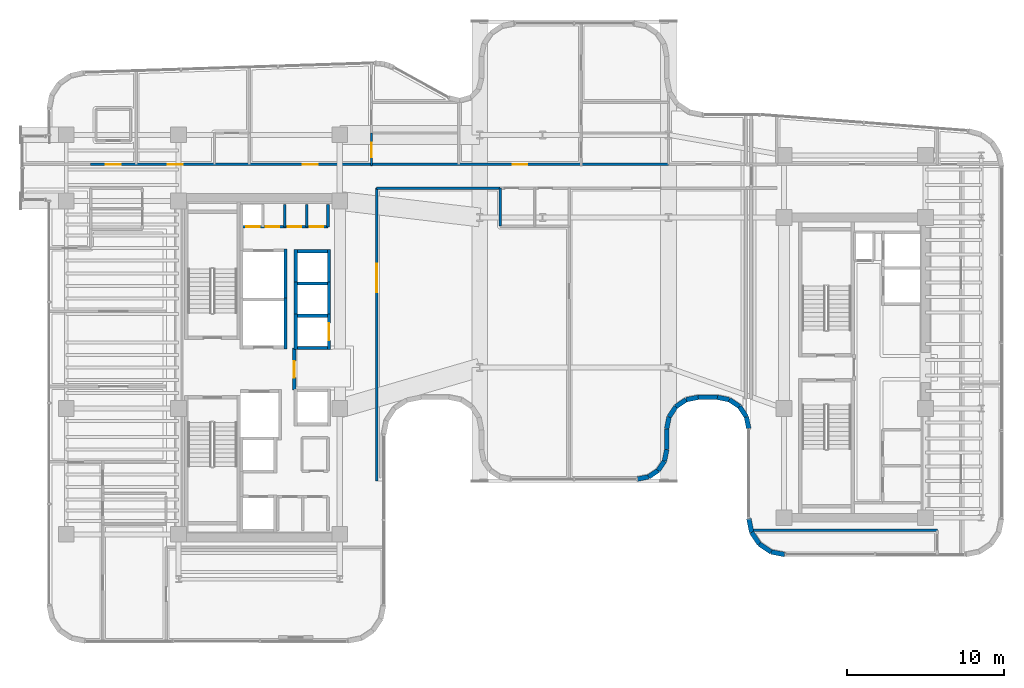
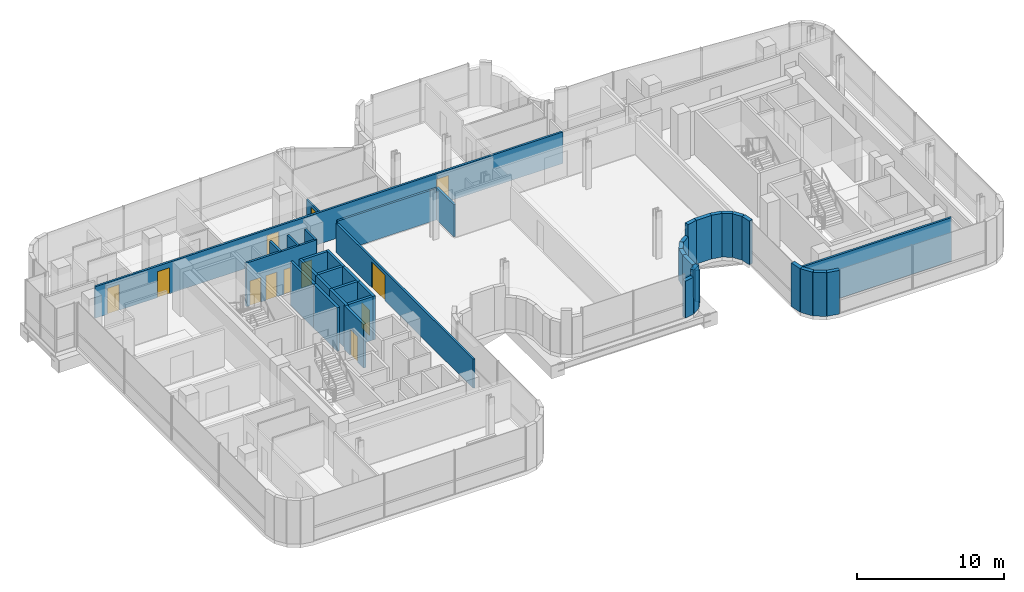
# One storey, part 29 of 39: 41 walls, 12 doors, 12 openings.
"""IFC4 building model written with IfcOpenShell, lengths in metres."""

from ifc_helpers import new_model, si_unit, direction, frame, frame_2d, origin, place, context, subcontext, project, spatial, rectangle, extrude, material, layer, layer_set, type_object, element, fill, save


model = new_model("IFC4")

# Units and contexts
model_context = context("Model", 3, precision=1e-05, world=origin(), true_north=direction((0.0, 1.0)))
body_context = subcontext(model_context, "Body", "Model", "MODEL_VIEW")
ifc_project = project(units=[si_unit("LENGTHUNIT", "METRE"), si_unit("AREAUNIT", "SQUARE_METRE"), si_unit("VOLUMEUNIT", "CUBIC_METRE"), si_unit("PLANEANGLEUNIT", "RADIAN"), si_unit("MASSUNIT", "GRAM", prefix="KILO")], contexts=[model_context])

# Site, building, storey
site_placement = place(None, origin())
site = spatial("IfcSite", under=ifc_project, at=site_placement, CompositionType="ELEMENT")
building_placement = place(site_placement, origin())
building = spatial("IfcBuilding", under=site, at=building_placement, Name="Valdorenza Pilgrim Sanctuary Tower", CompositionType="ELEMENT")
storey_placement = place(building_placement, frame((0.0, 0.0, 184.449951171875)))
storey = spatial("IfcBuildingStorey", under=building, at=storey_placement, Name="L47", CompositionType="ELEMENT", Elevation=184.449951171875)

# Wall, openings, doors
ifc_material_1 = material(Name="Acoustic twin-stud gypsum partition", Category="gypsum")
ifc_layer_1 = layer(ifc_material_1, 0.159912109375, Name="Acoustic twin-stud gypsum partition")
ifc_layer_set_1 = layer_set([ifc_layer_1], Name="Acoustic twin-stud gypsum partition")
wall_type_1 = type_object("IfcWallType", Name="WAL-COR-160", PredefinedType="PARTITIONING", material=ifc_layer_set_1)
wall_1_placement = place(storey_placement, frame((-18.64990234375, 8.949951171875, 0.0), z_axis=(0.0, 0.0, 1.0), x_axis=(1.0, 0.0, 0.0)))
wall_1 = element("IfcWall", 1, at=wall_1_placement, inside=storey, type_object=wall_type_1, Name="L47 Core A North Service South Wall", PredefinedType="PARTITIONING", context=body_context, shape_type="SweptSolid", body=[
    extrude(rectangle(XDim=5.5, YDim=0.159912109375, at=frame_2d((2.75, 0.0))), origin(), (0.0, 0.0, 1.0), 3.630126953125),
])
opening_1_placement = place(wall_1_placement, frame((0.300048828125, 0.0, 0.0)))
opening_1 = element("IfcOpeningElement", 2, at=opening_1_placement, cuts=wall_1, Name="Opening DR-RS1", PredefinedType="OPENING", context=body_context, shape_type="SweptSolid", body=[
    extrude(rectangle(XDim=0.85009765625, YDim=2.050048828125, at=frame_2d((0.425048828125, 1.02490234375))), frame((0.0, 0.0947265625, 0.0), z_axis=(0.0, -1.0, 0.0), x_axis=(1.0, 0.0, 0.0)), (0.0, 0.0, 1.0), 0.189697265625),
])
opening_2_placement = place(wall_1_placement, frame((1.550048828125, 0.0, 0.0)))
opening_2 = element("IfcOpeningElement", 3, at=opening_2_placement, cuts=wall_1, Name="Opening DR-RS1", PredefinedType="OPENING", context=body_context, shape_type="SweptSolid", body=[
    extrude(rectangle(XDim=0.85009765625, YDim=2.050048828125, at=frame_2d((0.425048828125, 1.02490234375))), frame((0.0, 0.0947265625, 0.0), z_axis=(0.0, -1.0, 0.0), x_axis=(1.0, 0.0, 0.0)), (0.0, 0.0, 1.0), 0.189697265625),
])
opening_3_placement = place(wall_1_placement, frame((2.949951171875, 0.0, 0.0)))
opening_3 = element("IfcOpeningElement", 4, at=opening_3_placement, cuts=wall_1, Name="Opening DR-RS1", PredefinedType="OPENING", context=body_context, shape_type="SweptSolid", body=[
    extrude(rectangle(XDim=0.85009765625, YDim=2.050048828125, at=frame_2d((0.425048828125, 1.02490234375))), frame((0.0, 0.0947265625, 0.0), z_axis=(0.0, -1.0, 0.0), x_axis=(1.0, 0.0, 0.0)), (0.0, 0.0, 1.0), 0.189697265625),
])
opening_4_placement = place(wall_1_placement, frame((4.35009765625, 0.0, 0.0)))
opening_4 = element("IfcOpeningElement", 5, at=opening_4_placement, cuts=wall_1, Name="Opening DR-RS1", PredefinedType="OPENING", context=body_context, shape_type="SweptSolid", body=[
    extrude(rectangle(XDim=0.85009765625, YDim=2.050048828125, at=frame_2d((0.425048828125, 1.02490234375))), frame((0.0, 0.0947265625, 0.0), z_axis=(0.0, -1.0, 0.0), x_axis=(1.0, 0.0, 0.0)), (0.0, 0.0, 1.0), 0.189697265625),
])
ifc_material_2 = material(Name="Painted galvanized steel", Category="steel")
door_type_1 = type_object("IfcDoorType", Name="DR-RSR-850", OperationType="NOTDEFINED", PredefinedType="DOOR", material=ifc_material_2)
door_1_placement = place(opening_1_placement, origin())
door_1 = element("IfcDoor", 6, at=door_1_placement, inside=storey, type_object=door_type_1, Name="L47 Core Electrical and Telecom Riser Door", OperationType="SINGLE_SWING_LEFT", OverallHeight=2.050048828125, OverallWidth=0.85009765625, PredefinedType="DOOR", context=body_context, shape_type="SweptSolid", body=[
    extrude(rectangle(XDim=0.85009765625, YDim=2.050048828125, at=frame_2d((0.425048828125, 1.02490234375))), frame((0.0, 0.02490234375, 0.0), z_axis=(0.0, -1.0, 0.0), x_axis=(1.0, 0.0, 0.0)), (0.0, 0.0, 1.0), 0.050048828125),
])
fill(opening_1, door_1)
door_2_placement = place(opening_2_placement, origin())
door_2 = element("IfcDoor", 7, at=door_2_placement, inside=storey, type_object=door_type_1, Name="L47 Housekeeping and Clean Linen Room Door", OperationType="SINGLE_SWING_RIGHT", OverallHeight=2.050048828125, OverallWidth=0.85009765625, PredefinedType="DOOR", context=body_context, shape_type="SweptSolid", body=[
    extrude(rectangle(XDim=0.85009765625, YDim=2.050048828125, at=frame_2d((0.425048828125, 1.02490234375))), frame((0.0, 0.02490234375, 0.0), z_axis=(0.0, -1.0, 0.0), x_axis=(1.0, 0.0, 0.0)), (0.0, 0.0, 1.0), 0.050048828125),
])
fill(opening_2, door_2)
door_3_placement = place(opening_3_placement, origin())
door_3 = element("IfcDoor", 8, at=door_3_placement, inside=storey, type_object=door_type_1, Name="L47 Core IT Server Closet Door", OperationType="SINGLE_SWING_LEFT", OverallHeight=2.050048828125, OverallWidth=0.85009765625, PredefinedType="DOOR", context=body_context, shape_type="SweptSolid", body=[
    extrude(rectangle(XDim=0.85009765625, YDim=2.050048828125, at=frame_2d((0.425048828125, 1.02490234375))), frame((0.0, 0.02490234375, 0.0), z_axis=(0.0, -1.0, 0.0), x_axis=(1.0, 0.0, 0.0)), (0.0, 0.0, 1.0), 0.050048828125),
])
fill(opening_3, door_3)
door_4_placement = place(opening_4_placement, origin())
door_4 = element("IfcDoor", 9, at=door_4_placement, inside=storey, type_object=door_type_1, Name="L47 Core Staff Washroom Door", OperationType="SINGLE_SWING_RIGHT", OverallHeight=2.050048828125, OverallWidth=0.85009765625, PredefinedType="DOOR", context=body_context, shape_type="SweptSolid", body=[
    extrude(rectangle(XDim=0.85009765625, YDim=2.050048828125, at=frame_2d((0.425048828125, 1.02490234375))), frame((0.0, 0.02490234375, 0.0), z_axis=(0.0, -1.0, 0.0), x_axis=(1.0, 0.0, 0.0)), (0.0, 0.0, 1.0), 0.050048828125),
])
fill(opening_4, door_4)

# Walls
for number, where, z_axis, x_axis, name in (
    (10, (-13.14990234375, 8.949951171875, 0.0), (0.0, 0.0, 1.0), (0.0, 1.0, 0.0), "L47 Core A North Service East Wall"),
    (11, (-15.89990234375, 8.949951171875, 0.0), (0.0, 0.0, 1.0), (0.0, 1.0, 0.0), "L47 Core A Split D1"),
    (12, (-14.5, 8.949951171875, 0.0), (0.0, 0.0, 1.0), (0.0, 1.0, 0.0), "L47 Core A Split D2"),
):
    element("IfcWall", number, at=place(storey_placement, frame(where, z_axis=z_axis, x_axis=x_axis)), inside=storey, type_object=wall_type_1, Name=name, PredefinedType="PARTITIONING", context=body_context, shape_type="SweptSolid", body=[
        extrude(rectangle(XDim=1.429931640625, YDim=0.159912109375, at=frame_2d((0.71484375, 0.0))), origin(), (0.0, 0.0, 1.0), 3.630126953125),
    ])

# Wall, openings, doors
wall_2_placement = place(storey_placement, frame((-28.25, 12.919921875, 0.0), z_axis=(0.0, 0.0, 1.0), x_axis=(1.0, 0.0, 0.0)))
wall_2 = element("IfcWall", 13, at=wall_2_placement, inside=storey, type_object=wall_type_1, Name="L47 North Corridor Wall", PredefinedType="PARTITIONING", context=body_context, shape_type="SweptSolid", body=[
    extrude(rectangle(XDim=36.75, YDim=0.159912109375, at=frame_2d((18.375, 0.0))), origin(), (0.0, 0.0, 1.0), 2.614990234375),
])
opening_5_placement = place(wall_2_placement, frame((0.972900390625, 0.0, 0.0)))
opening_5 = element("IfcOpeningElement", 14, at=opening_5_placement, cuts=wall_2, Name="Opening DR-UN1", PredefinedType="OPENING", context=body_context, shape_type="SweptSolid", body=[
    extrude(rectangle(XDim=0.949951171875, YDim=2.14990234375, at=frame_2d((0.47509765625, 1.074951171875))), frame((0.0, 0.0947265625, 0.0), z_axis=(0.0, -1.0, 0.0), x_axis=(1.0, 0.0, 0.0)), (0.0, 0.0, 1.0), 0.189697265625),
])
opening_6_placement = place(wall_2_placement, frame((4.9150390625, 0.0, 0.0)))
opening_6 = element("IfcOpeningElement", 15, at=opening_6_placement, cuts=wall_2, Name="Opening DR-UN1", PredefinedType="OPENING", context=body_context, shape_type="SweptSolid", body=[
    extrude(rectangle(XDim=0.949951171875, YDim=2.14990234375, at=frame_2d((0.47509765625, 1.074951171875))), frame((0.0, 0.0947265625, 0.0), z_axis=(0.0, -1.0, 0.0), x_axis=(1.0, 0.0, 0.0)), (0.0, 0.0, 1.0), 0.189697265625),
])
opening_7_placement = place(wall_2_placement, frame((13.5, 0.0, 0.0)))
opening_7 = element("IfcOpeningElement", 16, at=opening_7_placement, cuts=wall_2, Name="Opening DR-UN1", PredefinedType="OPENING", context=body_context, shape_type="SweptSolid", body=[
    extrude(rectangle(XDim=0.949951171875, YDim=2.14990234375, at=frame_2d((0.47509765625, 1.074951171875))), frame((0.0, 0.0947265625, 0.0), z_axis=(0.0, -1.0, 0.0), x_axis=(1.0, 0.0, 0.0)), (0.0, 0.0, 1.0), 0.189697265625),
])
opening_8_placement = place(wall_2_placement, frame((26.833984375, 0.0, 0.0)))
opening_8 = element("IfcOpeningElement", 17, at=opening_8_placement, cuts=wall_2, Name="Opening DR-UN1", PredefinedType="OPENING", context=body_context, shape_type="SweptSolid", body=[
    extrude(rectangle(XDim=0.949951171875, YDim=2.14990234375, at=frame_2d((0.47509765625, 1.074951171875))), frame((0.0, 0.0947265625, 0.0), z_axis=(0.0, -1.0, 0.0), x_axis=(1.0, 0.0, 0.0)), (0.0, 0.0, 1.0), 0.189697265625),
])
ifc_material_3 = material(Name="Solid-core European oak timber", Category="wood")
door_type_2 = type_object("IfcDoorType", Name="DR-UNIT-950", OperationType="NOTDEFINED", PredefinedType="DOOR", material=ifc_material_3)
door_5_placement = place(opening_5_placement, origin())
door_5 = element("IfcDoor", 18, at=door_5_placement, inside=storey, type_object=door_type_2, Name="L47 North Family Guest Room L47-N1A Entrance Door", OperationType="SINGLE_SWING_RIGHT", OverallHeight=2.14990234375, OverallWidth=0.949951171875, PredefinedType="DOOR", context=body_context, shape_type="SweptSolid", body=[
    extrude(rectangle(XDim=0.949951171875, YDim=2.14990234375, at=frame_2d((0.47509765625, 1.074951171875))), frame((0.0, 0.02490234375, 0.0), z_axis=(0.0, -1.0, 0.0), x_axis=(1.0, 0.0, 0.0)), (0.0, 0.0, 1.0), 0.050048828125),
])
fill(opening_5, door_5)
door_6_placement = place(opening_6_placement, origin())
door_6 = element("IfcDoor", 19, at=door_6_placement, inside=storey, type_object=door_type_2, Name="L47 North Family Guest Room L47-N1B Entrance Door", OperationType="SINGLE_SWING_RIGHT", OverallHeight=2.14990234375, OverallWidth=0.949951171875, PredefinedType="DOOR", context=body_context, shape_type="SweptSolid", body=[
    extrude(rectangle(XDim=0.949951171875, YDim=2.14990234375, at=frame_2d((0.47509765625, 1.074951171875))), frame((0.0, 0.02490234375, 0.0), z_axis=(0.0, -1.0, 0.0), x_axis=(1.0, 0.0, 0.0)), (0.0, 0.0, 1.0), 0.050048828125),
])
fill(opening_6, door_6)
door_7_placement = place(opening_7_placement, origin())
door_7 = element("IfcDoor", 20, at=door_7_placement, inside=storey, type_object=door_type_2, Name="L47 North Family Flat L47-N2 Entrance Door", OperationType="SINGLE_SWING_RIGHT", OverallHeight=2.14990234375, OverallWidth=0.949951171875, PredefinedType="DOOR", context=body_context, shape_type="SweptSolid", body=[
    extrude(rectangle(XDim=0.949951171875, YDim=2.14990234375, at=frame_2d((0.47509765625, 1.074951171875))), frame((0.0, 0.02490234375, 0.0), z_axis=(0.0, -1.0, 0.0), x_axis=(1.0, 0.0, 0.0)), (0.0, 0.0, 1.0), 0.050048828125),
])
fill(opening_7, door_7)
door_8_placement = place(opening_8_placement, origin())
door_8 = element("IfcDoor", 21, at=door_8_placement, inside=storey, type_object=door_type_2, Name="L47 North Family Flat L47-N3 Entrance Door", OperationType="SINGLE_SWING_RIGHT", OverallHeight=2.14990234375, OverallWidth=0.949951171875, PredefinedType="DOOR", context=body_context, shape_type="SweptSolid", body=[
    extrude(rectangle(XDim=0.949951171875, YDim=2.14990234375, at=frame_2d((0.47509765625, 1.074951171875))), frame((0.0, 0.02490234375, 0.0), z_axis=(0.0, -1.0, 0.0), x_axis=(1.0, 0.0, 0.0)), (0.0, 0.0, 1.0), 0.050048828125),
])
fill(opening_8, door_8)

# Wall, opening, door
wall_3_placement = place(storey_placement, frame((-10.050048828125, -7.199951171875, 0.0), z_axis=(0.0, 0.0, 1.0), x_axis=(0.0, 1.0, 0.0)))
wall_3 = element("IfcWall", 22, at=wall_3_placement, inside=storey, type_object=wall_type_1, Name="L47 Prayer Bar West Wall", PredefinedType="PARTITIONING", context=body_context, shape_type="SweptSolid", body=[
    extrude(rectangle(XDim=18.619873046875, YDim=0.159912109375, at=frame_2d((9.31005859375, 0.0))), origin(), (0.0, 0.0, 1.0), 2.4150390625),
])
opening_9_placement = place(wall_3_placement, frame((12.0, 0.0, 0.0)))
opening_9 = element("IfcOpeningElement", 23, at=opening_9_placement, cuts=wall_3, Name="Opening DR-HL1", PredefinedType="OPENING", context=body_context, shape_type="SweptSolid", body=[
    extrude(rectangle(XDim=1.800048828125, YDim=2.14990234375, at=frame_2d((0.89990234375, 1.074951171875))), frame((0.0, 0.0947265625, 0.0), z_axis=(0.0, -1.0, 0.0), x_axis=(1.0, 0.0, 0.0)), (0.0, 0.0, 1.0), 0.189697265625),
])
ifc_material_4 = material(Name="Acoustic oak and vision-glass double door", Category="glass")
door_type_3 = type_object("IfcDoorType", Name="DR-HALL-1800", OperationType="NOTDEFINED", PredefinedType="DOOR", material=ifc_material_4)
door_9_placement = place(opening_9_placement, origin())
door_9 = element("IfcDoor", 24, at=door_9_placement, inside=storey, type_object=door_type_3, Name="L47 Congregational Prayer Hall West Door", OperationType="DOUBLE_DOOR_SINGLE_SWING", OverallHeight=2.14990234375, OverallWidth=1.800048828125, PredefinedType="DOOR", context=body_context, shape_type="SweptSolid", body=[
    extrude(rectangle(XDim=1.800048828125, YDim=2.14990234375, at=frame_2d((0.89990234375, 1.074951171875))), frame((0.0, 0.02490234375, 0.0), z_axis=(0.0, -1.0, 0.0), x_axis=(1.0, 0.0, 0.0)), (0.0, 0.0, 1.0), 0.050048828125),
])
fill(opening_9, door_9)

# Walls
wall_4_placement = place(storey_placement, frame((-10.050048828125, 11.419921875, 0.0), z_axis=(0.0, 0.0, 1.0), x_axis=(1.0, 0.0, 0.0)))
element("IfcWall", 25, at=wall_4_placement, inside=storey, type_object=wall_type_1, Name="L47 Prayer Hall North-West Corridor Wall", PredefinedType="PARTITIONING", context=body_context, shape_type="SweptSolid", body=[
    extrude(rectangle(XDim=7.85009765625, YDim=0.159912109375, at=frame_2d((3.925048828125, 0.0))), origin(), (0.0, 0.0, 1.0), 2.614990234375),
])
wall_5_placement = place(storey_placement, frame((-2.199951171875, 9.0, 0.0), z_axis=(0.0, 0.0, 1.0), x_axis=(0.0, 1.0, 0.0)))
element("IfcWall", 26, at=wall_5_placement, inside=storey, type_object=wall_type_1, Name="L47 Washroom West Wall", PredefinedType="PARTITIONING", context=body_context, shape_type="SweptSolid", body=[
    extrude(rectangle(XDim=2.419921875, YDim=0.159912109375, at=frame_2d((1.2099609375, 0.0))), origin(), (0.0, 0.0, 1.0), 2.6650390625),
])
wall_6_placement = place(storey_placement, frame((13.888916015625, -10.35009765625, 0.0), z_axis=(0.0, 0.0, 1.0), x_axis=(1.0, 0.0, 0.0)))
element("IfcWall", 27, at=wall_6_placement, inside=storey, type_object=wall_type_1, Name="L47 Wing B South Closure", PredefinedType="PARTITIONING", context=body_context, shape_type="SweptSolid", body=[
    extrude(rectangle(XDim=11.711181640625, YDim=0.159912109375, at=frame_2d((5.85546875, 0.0))), origin(), (0.0, 0.0, 1.0), 3.630126953125),
])
ifc_material_5 = material(Name="Honed travertine limestone", Category="masonry")
ifc_layer_2 = layer(ifc_material_5, 0.300048828125, Name="Honed travertine limestone")
ifc_layer_set_2 = layer_set([ifc_layer_2], Name="Honed travertine limestone")
wall_type_2 = type_object("IfcWallType", Name="WAL-EXT-300", PredefinedType="SOLIDWALL", material=ifc_layer_set_2)
wall_7_placement = place(storey_placement, frame((15.910888671875, -11.889892578125, 0.0), z_axis=(0.0, 0.0, 1.0), x_axis=(-0.980798241101, 0.195025152871, 0.0)))
element("IfcWall", 28, at=wall_7_placement, inside=storey, type_object=wall_type_2, Name="L47 Rounded Wind-Corner Stone Pier 43", PredefinedType="SOLIDWALL", context=body_context, shape_type="SweptSolid", body=[
    extrude(rectangle(XDim=0.90380859375, YDim=0.300048828125, at=frame_2d((0.451904296875, 0.0))), origin(), (0.0, 0.0, 1.0), 3.630126953125),
])
for number, where, z_axis, x_axis, name in (
    (29, (15.0244140625, -11.713623046875, 0.0), (0.0, 0.0, 1.0), (-0.831502848374, 0.555520488502, 0.0), "L47 Rounded Wind-Corner Stone Pier 44"),
    (30, (14.2822265625, -11.2177734375, 0.0), (0.0, 0.0, 1.0), (-0.555520488502, 0.831502848374, 0.0), "L47 Rounded Wind-Corner Stone Pier 45"),
):
    element("IfcWall", number, at=place(storey_placement, frame(where, z_axis=z_axis, x_axis=x_axis)), inside=storey, type_object=wall_type_2, Name=name, PredefinedType="SOLIDWALL", context=body_context, shape_type="SweptSolid", body=[
        extrude(rectangle(XDim=0.892578125, YDim=0.300048828125, at=frame_2d((0.4462890625, 0.0))), origin(), (0.0, 0.0, 1.0), 3.630126953125),
    ])
wall_8_placement = place(storey_placement, frame((13.786376953125, -10.4755859375, 0.0), z_axis=(0.0, 0.0, 1.0), x_axis=(-0.195025152871, 0.980798241101, 0.0)))
element("IfcWall", 31, at=wall_8_placement, inside=storey, type_object=wall_type_2, Name="L47 Rounded Wind-Corner Stone Pier 46", PredefinedType="SOLIDWALL", context=body_context, shape_type="SweptSolid", body=[
    extrude(rectangle(XDim=0.90380859375, YDim=0.300048828125, at=frame_2d((0.451904296875, 0.0))), origin(), (0.0, 0.0, 1.0), 3.630126953125),
])
wall_9_placement = place(storey_placement, frame((13.610107421875, -3.88916015625, 0.0), z_axis=(0.0, 0.0, 1.0), x_axis=(-0.195206365311, 0.98076219082, 0.0)))
element("IfcWall", 32, at=wall_9_placement, inside=storey, type_object=wall_type_2, Name="L47 Rounded Wind-Corner Stone Pier 48", PredefinedType="SOLIDWALL", context=body_context, shape_type="SweptSolid", body=[
    extrude(rectangle(XDim=0.774169921875, YDim=0.300048828125, at=frame_2d((0.38720703125, 0.0))), origin(), (0.0, 0.0, 1.0), 3.630126953125),
])
for number, where, z_axis, x_axis, name in (
    (33, (13.458984375, -3.1298828125, 0.0), (0.0, 0.0, 1.0), (-0.555776307766, 0.831331880615, 0.0), "L47 Rounded Wind-Corner Stone Pier 49"),
    (34, (13.022705078125, -2.477294921875, 0.0), (0.0, 0.0, 1.0), (-0.831331880615, 0.555776307766, 0.0), "L47 Rounded Wind-Corner Stone Pier 50"),
):
    element("IfcWall", number, at=place(storey_placement, frame(where, z_axis=z_axis, x_axis=x_axis)), inside=storey, type_object=wall_type_2, Name=name, PredefinedType="SOLIDWALL", context=body_context, shape_type="SweptSolid", body=[
        extrude(rectangle(XDim=0.784912109375, YDim=0.300048828125, at=frame_2d((0.392578125, 0.0))), origin(), (0.0, 0.0, 1.0), 3.630126953125),
    ])
wall_10_placement = place(storey_placement, frame((12.3701171875, -2.041015625, 0.0), z_axis=(0.0, 0.0, 1.0), x_axis=(-0.98076219082, 0.195206365311, 0.0)))
element("IfcWall", 35, at=wall_10_placement, inside=storey, type_object=wall_type_2, Name="L47 Rounded Wind-Corner Stone Pier 51", PredefinedType="SOLIDWALL", context=body_context, shape_type="SweptSolid", body=[
    extrude(rectangle(XDim=0.774169921875, YDim=0.300048828125, at=frame_2d((0.38720703125, 0.0))), origin(), (0.0, 0.0, 1.0), 3.630126953125),
])
wall_11_placement = place(storey_placement, frame((11.61083984375, -1.889892578125, 0.0), z_axis=(0.0, 0.0, 1.0), x_axis=(-1.0, 0.0, 0.0)))
element("IfcWall", 36, at=wall_11_placement, inside=storey, type_object=wall_type_2, Name="L47 Rounded Wind-Corner Stone Pier 52", PredefinedType="SOLIDWALL", context=body_context, shape_type="SweptSolid", body=[
    extrude(rectangle(XDim=1.2216796875, YDim=0.300048828125, at=frame_2d((0.61083984375, 0.0))), origin(), (0.0, 0.0, 1.0), 3.630126953125),
])
wall_12_placement = place(storey_placement, frame((10.38916015625, -1.889892578125, 0.0), z_axis=(0.0, 0.0, 1.0), x_axis=(-0.98076219082, -0.195206365311, 0.0)))
element("IfcWall", 37, at=wall_12_placement, inside=storey, type_object=wall_type_2, Name="L47 Rounded Wind-Corner Stone Pier 53", PredefinedType="SOLIDWALL", context=body_context, shape_type="SweptSolid", body=[
    extrude(rectangle(XDim=0.774169921875, YDim=0.300048828125, at=frame_2d((0.38720703125, 0.0))), origin(), (0.0, 0.0, 1.0), 3.630126953125),
])
for number, where, z_axis, x_axis, name in (
    (38, (9.6298828125, -2.041015625, 0.0), (0.0, 0.0, 1.0), (-0.831331880615, -0.555776307766, 0.0), "L47 Rounded Wind-Corner Stone Pier 54"),
    (39, (8.977294921875, -2.477294921875, 0.0), (0.0, 0.0, 1.0), (-0.555776307766, -0.831331880615, 0.0), "L47 Rounded Wind-Corner Stone Pier 55"),
):
    element("IfcWall", number, at=place(storey_placement, frame(where, z_axis=z_axis, x_axis=x_axis)), inside=storey, type_object=wall_type_2, Name=name, PredefinedType="SOLIDWALL", context=body_context, shape_type="SweptSolid", body=[
        extrude(rectangle(XDim=0.784912109375, YDim=0.300048828125, at=frame_2d((0.392578125, 0.0))), origin(), (0.0, 0.0, 1.0), 2.614990234375),
    ])
wall_13_placement = place(storey_placement, frame((8.541015625, -3.1298828125, 0.0), z_axis=(0.0, 0.0, 1.0), x_axis=(-0.195206365311, -0.98076219082, 0.0)))
element("IfcWall", 40, at=wall_13_placement, inside=storey, type_object=wall_type_2, Name="L47 Rounded Wind-Corner Stone Pier 56", PredefinedType="SOLIDWALL", context=body_context, shape_type="SweptSolid", body=[
    extrude(rectangle(XDim=0.774169921875, YDim=0.300048828125, at=frame_2d((0.38720703125, 0.0))), origin(), (0.0, 0.0, 1.0), 2.614990234375),
])
wall_14_placement = place(storey_placement, frame((8.389892578125, -3.88916015625, 0.0), z_axis=(0.0, 0.0, 1.0), x_axis=(0.0, -1.0, 0.0)))
element("IfcWall", 41, at=wall_14_placement, inside=storey, type_object=wall_type_2, Name="L47 Rounded Wind-Corner Stone Pier 57", PredefinedType="SOLIDWALL", context=body_context, shape_type="SweptSolid", body=[
    extrude(rectangle(XDim=1.323974609375, YDim=0.300048828125, at=frame_2d((0.662109375, 0.0))), origin(), (0.0, 0.0, 1.0), 2.614990234375),
])
wall_15_placement = place(storey_placement, frame((8.389892578125, -5.213134765625, 0.0), z_axis=(0.0, 0.0, 1.0), x_axis=(-0.194780446724, -0.980846867546, 0.0)))
element("IfcWall", 42, at=wall_15_placement, inside=storey, type_object=wall_type_2, Name="L47 Rounded Wind-Corner Stone Pier 58", PredefinedType="SOLIDWALL", context=body_context, shape_type="SweptSolid", body=[
    extrude(rectangle(XDim=0.73828125, YDim=0.300048828125, at=frame_2d((0.369140625, 0.0))), origin(), (0.0, 0.0, 1.0), 2.614990234375),
])
wall_16_placement = place(storey_placement, frame((8.24609375, -5.937255859375, 0.0), z_axis=(0.0, 0.0, 1.0), x_axis=(-0.555784030735, -0.83132671747, 0.0)))
element("IfcWall", 43, at=wall_16_placement, inside=storey, type_object=wall_type_2, Name="L47 Rounded Wind-Corner Stone Pier 59", PredefinedType="SOLIDWALL", context=body_context, shape_type="SweptSolid", body=[
    extrude(rectangle(XDim=0.7275390625, YDim=0.300048828125, at=frame_2d((0.36376953125, 0.0))), origin(), (0.0, 0.0, 1.0), 2.614990234375),
])
wall_17_placement = place(storey_placement, frame((7.841796875, -6.5419921875, 0.0), z_axis=(0.0, 0.0, 1.0), x_axis=(-0.831378135196, -0.555707113792, 0.0)))
element("IfcWall", 44, at=wall_17_placement, inside=storey, type_object=wall_type_2, Name="L47 Rounded Wind-Corner Stone Pier 60", PredefinedType="SOLIDWALL", context=body_context, shape_type="SweptSolid", body=[
    extrude(rectangle(XDim=0.72705078125, YDim=0.300048828125, at=frame_2d((0.363525390625, 0.0))), origin(), (0.0, 0.0, 1.0), 3.630126953125),
])
wall_18_placement = place(storey_placement, frame((7.2373046875, -6.946044921875, 0.0), z_axis=(0.0, 0.0, 1.0), x_axis=(-0.980783640462, -0.195098566376, 0.0)))
element("IfcWall", 45, at=wall_18_placement, inside=storey, type_object=wall_type_2, Name="L47 Rounded Wind-Corner Stone Pier 61", PredefinedType="SOLIDWALL", context=body_context, shape_type="SweptSolid", body=[
    extrude(rectangle(XDim=0.73828125, YDim=0.300048828125, at=frame_2d((0.369140625, 0.0))), origin(), (0.0, 0.0, 1.0), 3.075927734375),
])

# Wall, opening, door
ifc_material_6 = material(Name="Gypsum shaftwall partition", Category="gypsum")
ifc_layer_3 = layer(ifc_material_6, 0.199951171875, Name="Gypsum shaftwall partition")
ifc_layer_set_3 = layer_set([ifc_layer_3], Name="Gypsum shaftwall partition")
wall_type_3 = type_object("IfcWallType", Name="WAL-FFL-200", PredefinedType="PARTITIONING", material=ifc_layer_set_3)
wall_19_placement = place(storey_placement, frame((-15.300048828125, -1.419921875, 0.0), z_axis=(0.0, 0.0, 1.0), x_axis=(0.0, 1.0, 0.0)))
wall_19 = element("IfcWall", 46, at=wall_19_placement, inside=storey, type_object=wall_type_3, Name="L47 Core A Firefighting Lobby East Wall", PredefinedType="PARTITIONING", context=body_context, shape_type="SweptSolid", body=[
    extrude(rectangle(XDim=2.669921875, YDim=0.199951171875, at=frame_2d((1.3349609375, 0.0))), origin(), (0.0, 0.0, 1.0), 3.630126953125),
])
opening_10_placement = place(wall_19_placement, frame((0.780029296875, 0.0, 0.0)))
opening_10 = element("IfcOpeningElement", 47, at=opening_10_placement, cuts=wall_19, Name="Opening DR-FL1", PredefinedType="OPENING", context=body_context, shape_type="SweptSolid", body=[
    extrude(rectangle(XDim=1.050048828125, YDim=2.14990234375, at=frame_2d((0.52490234375, 1.074951171875))), frame((0.0, 0.11474609375, 0.0), z_axis=(0.0, -1.0, 0.0), x_axis=(1.0, 0.0, 0.0)), (0.0, 0.0, 1.0), 0.229736328125),
])
door_type_4 = type_object("IfcDoorType", Name="DR-FFL-1050", OperationType="NOTDEFINED", PredefinedType="DOOR", material=ifc_material_2)
door_10_placement = place(opening_10_placement, origin())
door_10 = element("IfcDoor", 48, at=door_10_placement, inside=storey, type_object=door_type_4, Name="L47 Core A Firefighting Lobby Door", OperationType="SINGLE_SWING_RIGHT", OverallHeight=2.14990234375, OverallWidth=1.050048828125, PredefinedType="DOOR", context=body_context, shape_type="SweptSolid", body=[
    extrude(rectangle(XDim=1.050048828125, YDim=2.14990234375, at=frame_2d((0.52490234375, 1.074951171875))), frame((0.0, 0.02490234375, 0.0), z_axis=(0.0, -1.0, 0.0), x_axis=(1.0, 0.0, 0.0)), (0.0, 0.0, 1.0), 0.050048828125),
])
fill(opening_10, door_10)

ifc_material_7 = material(Name="Moisture-resistant gypsum partition", Category="gypsum")
ifc_layer_4 = layer(ifc_material_7, 0.1201171875, Name="Moisture-resistant gypsum partition")
ifc_layer_set_4 = layer_set([ifc_layer_4], Name="Moisture-resistant gypsum partition")
wall_type_4 = type_object("IfcWallType", Name="WAL-INT-120", PredefinedType="PARTITIONING", material=ifc_layer_set_4)
wall_20_placement = place(storey_placement, frame((-10.38330078125, 12.840087890625, 0.0), z_axis=(0.0, 0.0, 1.0), x_axis=(0.0, 1.0, 0.0)))
wall_20 = element("IfcWall", 49, at=wall_20_placement, inside=storey, type_object=wall_type_4, Name="L47 North Family Flat L47-N2 Kitchen Door Wall", PredefinedType="PARTITIONING", context=body_context, shape_type="SweptSolid", body=[
    extrude(rectangle(XDim=2.079833984375, YDim=0.1201171875, at=frame_2d((1.0400390625, 0.0))), origin(), (0.0, 0.0, 1.0), 2.4150390625),
])
opening_11_placement = place(wall_20_placement, frame((0.550048828125, 0.0, 0.0)))
opening_11 = element("IfcOpeningElement", 50, at=opening_11_placement, cuts=wall_20, Name="Opening DR-RM1", PredefinedType="OPENING", context=body_context, shape_type="SweptSolid", body=[
    extrude(rectangle(XDim=0.89990234375, YDim=2.10009765625, at=frame_2d((0.449951171875, 1.050048828125))), frame((0.0, 0.074951171875, 0.0), z_axis=(0.0, -1.0, 0.0), x_axis=(1.0, 0.0, 0.0)), (0.0, 0.0, 1.0), 0.14990234375),
])
door_type_5 = type_object("IfcDoorType", Name="DR-ROOM-900", OperationType="NOTDEFINED", PredefinedType="DOOR", material=ifc_material_3)
door_11_placement = place(opening_11_placement, origin())
door_11 = element("IfcDoor", 51, at=door_11_placement, inside=storey, type_object=door_type_5, Name="L47 North Family Flat L47-N2 Kitchen Door", OperationType="SINGLE_SWING_RIGHT", OverallHeight=2.10009765625, OverallWidth=0.89990234375, PredefinedType="DOOR", context=body_context, shape_type="SweptSolid", body=[
    extrude(rectangle(XDim=0.89990234375, YDim=2.10009765625, at=frame_2d((0.449951171875, 1.050048828125))), frame((0.0, 0.02490234375, 0.0), z_axis=(0.0, -1.0, 0.0), x_axis=(1.0, 0.0, 0.0)), (0.0, 0.0, 1.0), 0.050048828125),
])
fill(opening_11, door_11)

# Walls
ifc_material_8 = material(Name="Autoclaved aerated concrete blockwork", Category="masonry")
ifc_layer_5 = layer(ifc_material_8, 0.199951171875, Name="Autoclaved aerated concrete blockwork")
ifc_layer_set_5 = layer_set([ifc_layer_5], Name="Autoclaved aerated concrete blockwork")
wall_type_5 = type_object("IfcWallType", Name="WAL-SHF-200", PredefinedType="MOVABLE", material=ifc_layer_set_5)
wall_21_placement = place(storey_placement, frame((-15.85009765625, 1.199951171875, 0.0), z_axis=(0.0, 0.0, 1.0), x_axis=(0.0, 1.0, 0.0)))
element("IfcWall", 52, at=wall_21_placement, inside=storey, type_object=wall_type_5, Name="L47 Lift FFL-01 Hoistway Wall East", PredefinedType="MOVABLE", context=body_context, shape_type="SweptSolid", body=[
    extrude(rectangle(XDim=3.22509765625, YDim=0.199951171875, at=frame_2d((1.612548828125, 0.0))), origin(), (0.0, 0.0, 1.0), 3.630126953125),
])
wall_22_placement = place(storey_placement, frame((-15.85009765625, 4.22509765625, 0.0), z_axis=(0.0, 0.0, 1.0), x_axis=(0.0, 1.0, 0.0)))
element("IfcWall", 53, at=wall_22_placement, inside=storey, type_object=wall_type_5, Name="L47 Lift SVL-01 Hoistway Wall East", PredefinedType="MOVABLE", context=body_context, shape_type="SweptSolid", body=[
    extrude(rectangle(XDim=3.324951171875, YDim=0.199951171875, at=frame_2d((1.66259765625, 0.0))), origin(), (0.0, 0.0, 1.0), 3.630126953125),
])
wall_23_placement = place(storey_placement, frame((-15.199951171875, 1.14990234375, 0.0), z_axis=(0.0, 0.0, 1.0), x_axis=(0.0, 1.0, 0.0)))
element("IfcWall", 54, at=wall_23_placement, inside=storey, type_object=wall_type_5, Name="L47 Lift PL-06 Hoistway Wall West", PredefinedType="MOVABLE", context=body_context, shape_type="SweptSolid", body=[
    extrude(rectangle(XDim=2.25, YDim=0.199951171875, at=frame_2d((1.125, 0.0))), origin(), (0.0, 0.0, 1.0), 3.630126953125),
])

# Wall, opening, door
wall_24_placement = place(storey_placement, frame((-13.080078125, 1.14990234375, 0.0), z_axis=(0.0, 0.0, 1.0), x_axis=(0.0, 1.0, 0.0)))
wall_24 = element("IfcWall", 55, at=wall_24_placement, inside=storey, type_object=wall_type_5, Name="L47 Lift PL-06 Hoistway Wall East", PredefinedType="MOVABLE", context=body_context, shape_type="SweptSolid", body=[
    extrude(rectangle(XDim=2.25, YDim=0.199951171875, at=frame_2d((1.125, 0.0))), origin(), (0.0, 0.0, 1.0), 3.630126953125),
])
opening_12_placement = place(wall_24_placement, frame((0.574951171875, 0.0, 0.0)))
opening_12 = element("IfcOpeningElement", 56, at=opening_12_placement, cuts=wall_24, Name="Opening LD-01", PredefinedType="OPENING", context=body_context, shape_type="SweptSolid", body=[
    extrude(rectangle(XDim=1.10009765625, YDim=2.10009765625, at=frame_2d((0.550048828125, 1.050048828125))), frame((0.0, 0.11474609375, 0.0), z_axis=(0.0, -1.0, 0.0), x_axis=(1.0, 0.0, 0.0)), (0.0, 0.0, 1.0), 0.229736328125),
])
ifc_material_9 = material(Name="Brushed stainless steel Grade 316", Category="steel")
door_type_6 = type_object("IfcDoorType", Name="DR-LFT-1100", OperationType="DOUBLE_DOOR_SLIDING", PredefinedType="DOOR", material=ifc_material_9)
door_12_placement = place(opening_12_placement, origin())
door_12 = element("IfcDoor", 57, at=door_12_placement, inside=storey, type_object=door_type_6, Name="L47 Lift PL-06 Sliding Landing Door", OperationType="DOUBLE_DOOR_SLIDING", OverallHeight=2.10009765625, OverallWidth=1.10009765625, PredefinedType="DOOR", context=body_context, shape_type="SweptSolid", body=[
    extrude(rectangle(XDim=1.10009765625, YDim=2.10009765625, at=frame_2d((0.550048828125, 1.050048828125))), frame((0.0, 0.02490234375, 0.0), z_axis=(0.0, -1.0, 0.0), x_axis=(1.0, 0.0, 0.0)), (0.0, 0.0, 1.0), 0.050048828125),
])
fill(opening_12, door_12)

# Walls
wall_25_placement = place(storey_placement, frame((-15.10009765625, 1.25, 0.0), z_axis=(0.0, 0.0, 1.0), x_axis=(1.0, 0.0, 0.0)))
element("IfcWall", 58, at=wall_25_placement, inside=storey, type_object=wall_type_5, Name="L47 Lift PL-06 Hoistway Wall South", PredefinedType="MOVABLE", context=body_context, shape_type="SweptSolid", body=[
    extrude(rectangle(XDim=1.920166015625, YDim=0.199951171875, at=frame_2d((0.9599609375, 0.0))), origin(), (0.0, 0.0, 1.0), 3.630126953125),
])
for number, where, z_axis, x_axis, name in (
    (59, (-15.199951171875, 3.199951171875, 0.0), (0.0, 0.0, 1.0), (0.0, 1.0, 0.0), "L47 Lift PL-09 Hoistway Wall West"),
    (60, (-13.080078125, 3.199951171875, 0.0), (0.0, 0.0, 1.0), (0.0, 1.0, 0.0), "L47 Lift PL-09 Hoistway Wall East"),
):
    element("IfcWall", number, at=place(storey_placement, frame(where, z_axis=z_axis, x_axis=x_axis)), inside=storey, type_object=wall_type_5, Name=name, PredefinedType="MOVABLE", context=body_context, shape_type="SweptSolid", body=[
        extrude(rectangle(XDim=2.25, YDim=0.199951171875, at=frame_2d((1.125, 0.0))), origin(), (0.0, 0.0, 1.0), 3.630126953125),
    ])
for number, where, z_axis, x_axis, name in (
    (61, (-15.10009765625, 3.300048828125, 0.0), (0.0, 0.0, 1.0), (1.0, 0.0, 0.0), "L47 Lift PL-09 Hoistway Wall South"),
    (62, (-15.10009765625, 5.35009765625, 0.0), (0.0, 0.0, 1.0), (1.0, 0.0, 0.0), "L47 Lift PL-09 Hoistway Wall North"),
):
    element("IfcWall", number, at=place(storey_placement, frame(where, z_axis=z_axis, x_axis=x_axis)), inside=storey, type_object=wall_type_5, Name=name, PredefinedType="MOVABLE", context=body_context, shape_type="SweptSolid", body=[
        extrude(rectangle(XDim=1.920166015625, YDim=0.199951171875, at=frame_2d((0.9599609375, 0.0))), origin(), (0.0, 0.0, 1.0), 3.630126953125),
    ])
for number, where, z_axis, x_axis, name in (
    (63, (-15.199951171875, 5.25, 0.0), (0.0, 0.0, 1.0), (0.0, 1.0, 0.0), "L47 Lift PL-10 Hoistway Wall West"),
    (64, (-13.080078125, 5.25, 0.0), (0.0, 0.0, 1.0), (0.0, 1.0, 0.0), "L47 Lift PL-10 Hoistway Wall East"),
):
    element("IfcWall", number, at=place(storey_placement, frame(where, z_axis=z_axis, x_axis=x_axis)), inside=storey, type_object=wall_type_5, Name=name, PredefinedType="MOVABLE", context=body_context, shape_type="SweptSolid", body=[
        extrude(rectangle(XDim=2.25, YDim=0.199951171875, at=frame_2d((1.125, 0.0))), origin(), (0.0, 0.0, 1.0), 3.630126953125),
    ])
wall_26_placement = place(storey_placement, frame((-15.10009765625, 7.39990234375, 0.0), z_axis=(0.0, 0.0, 1.0), x_axis=(1.0, 0.0, 0.0)))
element("IfcWall", 65, at=wall_26_placement, inside=storey, type_object=wall_type_5, Name="L47 Lift PL-10 Hoistway Wall North", PredefinedType="MOVABLE", context=body_context, shape_type="SweptSolid", body=[
    extrude(rectangle(XDim=1.920166015625, YDim=0.199951171875, at=frame_2d((0.9599609375, 0.0))), origin(), (0.0, 0.0, 1.0), 3.630126953125),
])

save(model, "model.ifc")
